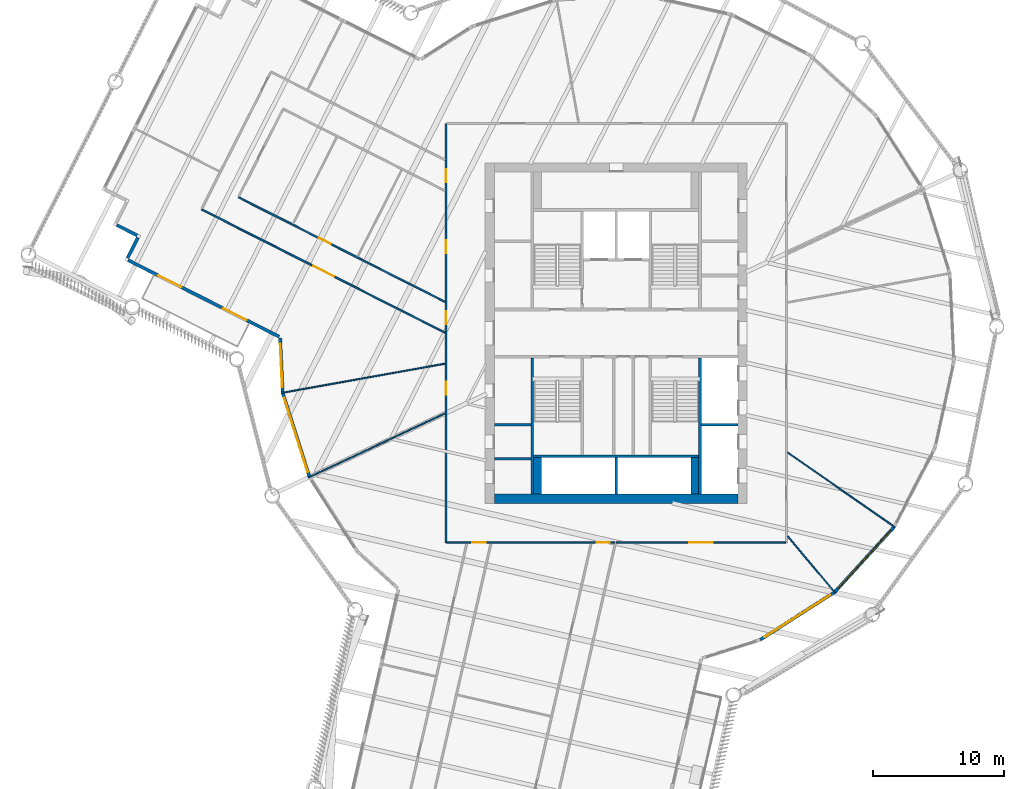
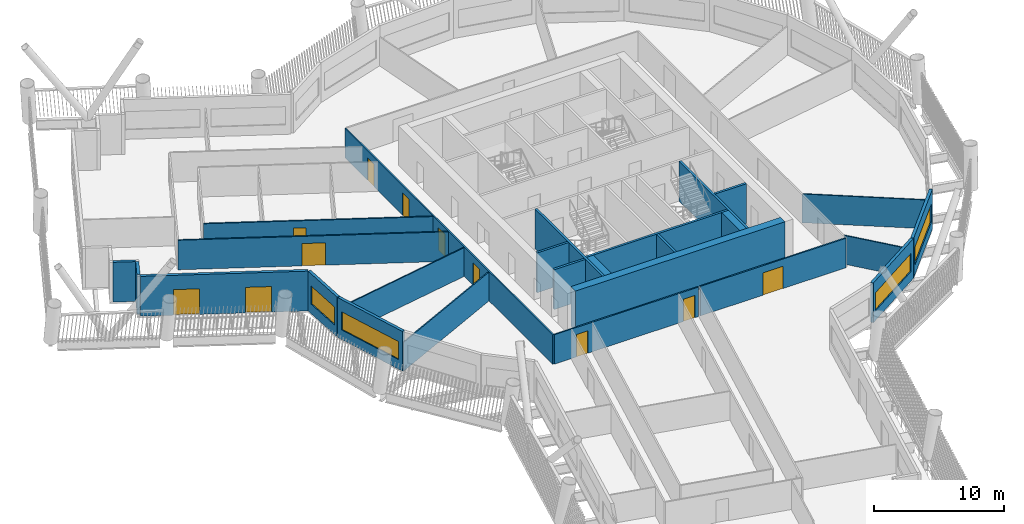
# One storey, part 4 of 21: 26 walls, 11 doors, 4 windows, 15 openings.
"""IFC4 building model written with IfcOpenShell, lengths in metres."""

from ifc_helpers import new_model, si_unit, direction, frame, frame_2d, origin, place, context, subcontext, project, spatial, rectangle, extrude, material, layer, layer_set, type_object, element, fill, save


model = new_model("IFC4")

# Units and contexts
model_context = context("Model", 3, precision=1e-05, world=origin(), true_north=direction((0.0, 1.0)))
body_context = subcontext(model_context, "Body", "Model", "MODEL_VIEW")
ifc_project = project(units=[si_unit("LENGTHUNIT", "METRE"), si_unit("AREAUNIT", "SQUARE_METRE"), si_unit("VOLUMEUNIT", "CUBIC_METRE"), si_unit("PLANEANGLEUNIT", "RADIAN"), si_unit("MASSUNIT", "GRAM", prefix="KILO")], contexts=[model_context])

# Site, building, storey
site_placement = place(None, origin())
site = spatial("IfcSite", under=ifc_project, at=site_placement, CompositionType="ELEMENT")
building_placement = place(site_placement, origin())
building = spatial("IfcBuilding", under=site, at=building_placement, Name="Tarsis Ring Headquarters", CompositionType="ELEMENT")
storey_placement = place(building_placement, frame((0.0, 0.0, 171.0)))
storey = spatial("IfcBuildingStorey", under=building, at=storey_placement, Name="L39", CompositionType="ELEMENT", Elevation=171.0)

# Walls
ifc_material_1 = material(Name="Blockwork", Category="masonry")
ifc_layer_1 = layer(ifc_material_1, 0.199951171875)
ifc_layer_set_1 = layer_set([ifc_layer_1], Name="Core blockwork wall 200")
wall_type_1 = type_object("IfcWallType", Name="Core blockwork wall 200", PredefinedType="PARTITIONING", material=ifc_layer_set_1)
for number, where, z_axis, x_axis, name in (
    (1, (-9.300048828125, -9.60009765625, 0.0), (0.0, 0.0, 1.0), (1.0, 0.0, 0.0), "Core partition WD1"),
    (2, (-9.300048828125, -7.0, 0.0), (0.0, 0.0, 1.0), (1.0, 0.0, 0.0), "Core partition WD2"),
):
    element("IfcWall", number, at=place(storey_placement, frame(where, z_axis=z_axis, x_axis=x_axis)), inside=storey, type_object=wall_type_1, Name=name, PredefinedType="PARTITIONING", context=body_context, shape_type="SweptSolid", body=[
        extrude(rectangle(XDim=2.800048828125, YDim=0.199951171875, at=frame_2d((1.39990234375, 0.0))), origin(), (0.0, 0.0, 1.0), 3.739990234375),
    ])
ifc_material_2 = material(Name="Concrete C60/75", Category="concrete")
ifc_layer_2 = layer(ifc_material_2, 0.699951171875)
ifc_layer_set_2 = layer_set([ifc_layer_2], Name="Core wall 700 C60/75")
wall_type_2 = type_object("IfcWallType", Name="Core wall 700 C60/75", PredefinedType="SHEAR", material=ifc_layer_set_2)
wall_1_placement = place(storey_placement, frame((-9.300048828125, -12.64990234375, 0.0), z_axis=(0.0, 0.0, 1.0), x_axis=(1.0, 0.0, 0.0)))
element("IfcWall", 3, at=wall_1_placement, inside=storey, type_object=wall_type_2, Name="Core wall OS", PredefinedType="SHEAR", context=body_context, shape_type="SweptSolid", body=[
    extrude(rectangle(XDim=18.60009765625, YDim=0.699951171875, at=frame_2d((9.300048828125, 0.0))), origin(), (0.0, 0.0, 1.0), 3.739990234375),
])
ifc_material_3 = material(Name="Gypsum board on steel studs", Category="steel")
ifc_layer_3 = layer(ifc_material_3, 0.10009765625)
ifc_layer_set_3 = layer_set([ifc_layer_3], Name="FL partition 100 unrated")
wall_type_3 = type_object("IfcWallType", Name="FL partition 100 unrated", PredefinedType="PARTITIONING", material=ifc_layer_set_3)
wall_2_placement = place(storey_placement, frame((-25.54248046875, -4.568115234375, 0.0), z_axis=(0.0, 0.0, 1.0), x_axis=(0.984382770142, 0.176041364025, 0.0)))
element("IfcWall", 4, at=wall_2_placement, inside=storey, type_object=wall_type_3, Name="Partition PW3", PredefinedType="PARTITIONING", context=body_context, shape_type="SweptSolid", body=[
    extrude(rectangle(XDim=12.671630859375, YDim=0.10009765625, at=frame_2d((6.3359375, 0.0))), origin(), (0.0, 0.0, 1.0), 2.699951171875),
])
wall_3_placement = place(storey_placement, frame((-23.489990234375, -11.0234375, 0.0), z_axis=(0.0, 0.0, 1.0), x_axis=(0.905275910624, 0.424824111421, 0.0)))
element("IfcWall", 5, at=wall_3_placement, inside=storey, type_object=wall_type_3, Name="Partition PW3", PredefinedType="PARTITIONING", context=body_context, shape_type="SweptSolid", body=[
    extrude(rectangle(XDim=11.507568359375, YDim=0.10009765625, at=frame_2d((5.75390625, 0.0))), origin(), (0.0, 0.0, 1.0), 2.699951171875),
])
wall_4_placement = place(storey_placement, frame((13.08203125, -9.112548828125, 0.0), z_axis=(0.0, 0.0, 1.0), x_axis=(0.820550418038, -0.571574152195, 0.0)))
element("IfcWall", 6, at=wall_4_placement, inside=storey, type_object=wall_type_3, Name="Partition PW3", PredefinedType="PARTITIONING", context=body_context, shape_type="SweptSolid", body=[
    extrude(rectangle(XDim=10.0048828125, YDim=0.10009765625, at=frame_2d((5.00244140625, 0.0))), origin(), (0.0, 0.0, 1.0), 2.699951171875),
])
wall_5_placement = place(storey_placement, frame((13.09033203125, -15.523193359375, 0.0), z_axis=(0.0, 0.0, 1.0), x_axis=(0.644655273068, -0.764473399737, 0.0)))
element("IfcWall", 7, at=wall_5_placement, inside=storey, type_object=wall_type_3, Name="Partition PW3", PredefinedType="PARTITIONING", context=body_context, shape_type="SweptSolid", body=[
    extrude(rectangle(XDim=5.64208984375, YDim=0.10009765625, at=frame_2d((2.821044921875, 0.0))), origin(), (0.0, 0.0, 1.0), 2.699951171875),
])

# Wall, openings, doors
ifc_layer_4 = layer(ifc_material_3, 0.125)
ifc_layer_set_4 = layer_set([ifc_layer_4], Name="FL partition 125 EI 60 H2770")
wall_type_4 = type_object("IfcWallType", Name="FL partition 125 EI 60 H2770", PredefinedType="PARTITIONING", material=ifc_layer_set_4)
wall_6_placement = place(storey_placement, frame((-13.0, -16.0, 0.0), z_axis=(0.0, 0.0, 1.0), x_axis=(0.0, 1.0, 0.0)))
wall_6 = element("IfcWall", 8, at=wall_6_placement, inside=storey, type_object=wall_type_4, Name="Partition PW1", PredefinedType="PARTITIONING", context=body_context, shape_type="SweptSolid", body=[
    extrude(rectangle(XDim=31.998046875, YDim=0.125, at=frame_2d((15.9990234375, 0.0))), origin(), (0.0, 0.0, 1.0), 2.77001953125),
])
opening_1_placement = place(wall_6_placement, frame((11.287109375, 0.0, 0.0)))
opening_1 = element("IfcOpeningElement", 9, at=opening_1_placement, cuts=wall_6, Name="Opening D39.14", PredefinedType="OPENING", context=body_context, shape_type="SweptSolid", body=[
    extrude(rectangle(XDim=1.0, YDim=2.10009765625, at=frame_2d((0.5, 1.050048828125))), frame((0.0, 0.072509765625, 0.0), z_axis=(0.0, -1.0, 0.0), x_axis=(1.0, 0.0, 0.0)), (0.0, 0.0, 1.0), 0.14501953125),
])
opening_2_placement = place(wall_6_placement, frame((22.083984375, 0.0, 0.0)))
opening_2 = element("IfcOpeningElement", 10, at=opening_2_placement, cuts=wall_6, Name="Opening D39.15", PredefinedType="OPENING", context=body_context, shape_type="SweptSolid", body=[
    extrude(rectangle(XDim=1.0, YDim=2.10009765625, at=frame_2d((0.5, 1.050048828125))), frame((0.0, 0.072509765625, 0.0), z_axis=(0.0, -1.0, 0.0), x_axis=(1.0, 0.0, 0.0)), (0.0, 0.0, 1.0), 0.14501953125),
])
opening_3_placement = place(wall_6_placement, frame((16.669921875, 0.0, 0.0)))
opening_3 = element("IfcOpeningElement", 11, at=opening_3_placement, cuts=wall_6, Name="Opening D39.22", PredefinedType="OPENING", context=body_context, shape_type="SweptSolid", body=[
    extrude(rectangle(XDim=1.0, YDim=2.10009765625, at=frame_2d((0.5, 1.050048828125))), frame((0.0, 0.072509765625, 0.0), z_axis=(0.0, -1.0, 0.0), x_axis=(1.0, 0.0, 0.0)), (0.0, 0.0, 1.0), 0.14501953125),
])
opening_4_placement = place(wall_6_placement, frame((27.498046875, 0.0, 0.0)))
opening_4 = element("IfcOpeningElement", 12, at=opening_4_placement, cuts=wall_6, Name="Opening D39.23", PredefinedType="OPENING", context=body_context, shape_type="SweptSolid", body=[
    extrude(rectangle(XDim=1.0, YDim=2.10009765625, at=frame_2d((0.5, 1.050048828125))), frame((0.0, 0.072509765625, 0.0), z_axis=(0.0, -1.0, 0.0), x_axis=(1.0, 0.0, 0.0)), (0.0, 0.0, 1.0), 0.14501953125),
])
ifc_material_4 = material(Name="Fire-rated timber door leaf in steel frame", Category="steel")
door_type_1 = type_object("IfcDoorType", Name="FL door FD60-1000", OperationType="NOTDEFINED", PredefinedType="DOOR", material=ifc_material_4)
door_1_placement = place(opening_1_placement, origin())
door_1 = element("IfcDoor", 13, at=door_1_placement, inside=storey, type_object=door_type_1, Name="Door D39.14", OperationType="SINGLE_SWING_LEFT", OverallHeight=2.10009765625, OverallWidth=1.0, PredefinedType="DOOR", context=body_context, shape_type="SweptSolid", body=[
    extrude(rectangle(XDim=1.0, YDim=2.10009765625, at=frame_2d((0.5, 1.050048828125))), frame((0.0, 0.02490234375, 0.0), z_axis=(0.0, -1.0, 0.0), x_axis=(1.0, 0.0, 0.0)), (0.0, 0.0, 1.0), 0.050048828125),
])
fill(opening_1, door_1)
door_2_placement = place(opening_2_placement, origin())
door_2 = element("IfcDoor", 14, at=door_2_placement, inside=storey, type_object=door_type_1, Name="Door D39.15", OperationType="SINGLE_SWING_RIGHT", OverallHeight=2.10009765625, OverallWidth=1.0, PredefinedType="DOOR", context=body_context, shape_type="SweptSolid", body=[
    extrude(rectangle(XDim=1.0, YDim=2.10009765625, at=frame_2d((0.5, 1.050048828125))), frame((0.0, 0.02490234375, 0.0), z_axis=(0.0, -1.0, 0.0), x_axis=(1.0, 0.0, 0.0)), (0.0, 0.0, 1.0), 0.050048828125),
])
fill(opening_2, door_2)
door_3_placement = place(opening_3_placement, origin())
door_3 = element("IfcDoor", 15, at=door_3_placement, inside=storey, type_object=door_type_1, Name="Door D39.22", OperationType="SINGLE_SWING_LEFT", OverallHeight=2.10009765625, OverallWidth=1.0, PredefinedType="DOOR", context=body_context, shape_type="SweptSolid", body=[
    extrude(rectangle(XDim=1.0, YDim=2.10009765625, at=frame_2d((0.5, 1.050048828125))), frame((0.0, 0.02490234375, 0.0), z_axis=(0.0, -1.0, 0.0), x_axis=(1.0, 0.0, 0.0)), (0.0, 0.0, 1.0), 0.050048828125),
])
fill(opening_3, door_3)
door_4_placement = place(opening_4_placement, origin())
door_4 = element("IfcDoor", 16, at=door_4_placement, inside=storey, type_object=door_type_1, Name="Door D39.23", OperationType="SINGLE_SWING_RIGHT", OverallHeight=2.10009765625, OverallWidth=1.0, PredefinedType="DOOR", context=body_context, shape_type="SweptSolid", body=[
    extrude(rectangle(XDim=1.0, YDim=2.10009765625, at=frame_2d((0.5, 1.050048828125))), frame((0.0, 0.02490234375, 0.0), z_axis=(0.0, -1.0, 0.0), x_axis=(1.0, 0.0, 0.0)), (0.0, 0.0, 1.0), 0.050048828125),
])
fill(opening_4, door_4)

wall_7_placement = place(storey_placement, frame((-12.93994140625, -16.0, 0.0), z_axis=(0.0, 0.0, 1.0), x_axis=(1.0, 0.0, 0.0)))
wall_7 = element("IfcWall", 17, at=wall_7_placement, inside=storey, type_object=wall_type_4, Name="Partition PW1", PredefinedType="PARTITIONING", context=body_context, shape_type="SweptSolid", body=[
    extrude(rectangle(XDim=12.80908203125, YDim=0.125, at=frame_2d((6.404541015625, 0.0))), origin(), (0.0, 0.0, 1.0), 2.77001953125),
])
opening_5_placement = place(wall_7_placement, frame((1.96630859375, 0.0, 0.0)))
opening_5 = element("IfcOpeningElement", 18, at=opening_5_placement, cuts=wall_7, Name="Opening D39.20", PredefinedType="OPENING", context=body_context, shape_type="SweptSolid", body=[
    extrude(rectangle(XDim=1.0, YDim=2.10009765625, at=frame_2d((0.5, 1.050048828125))), frame((0.0, 0.072509765625, 0.0), z_axis=(0.0, -1.0, 0.0), x_axis=(1.0, 0.0, 0.0)), (0.0, 0.0, 1.0), 0.14501953125),
])
opening_6_placement = place(wall_7_placement, frame((11.46435546875, 0.0, 0.0)))
opening_6 = element("IfcOpeningElement", 19, at=opening_6_placement, cuts=wall_7, Name="Opening D39.21", PredefinedType="OPENING", context=body_context, shape_type="SweptSolid", body=[
    extrude(rectangle(XDim=1.0, YDim=2.10009765625, at=frame_2d((0.5, 1.050048828125))), frame((0.0, 0.072509765625, 0.0), z_axis=(0.0, -1.0, 0.0), x_axis=(1.0, 0.0, 0.0)), (0.0, 0.0, 1.0), 0.14501953125),
])
door_5_placement = place(opening_5_placement, origin())
door_5 = element("IfcDoor", 20, at=door_5_placement, inside=storey, type_object=door_type_1, Name="Door D39.20", OperationType="SINGLE_SWING_LEFT", OverallHeight=2.10009765625, OverallWidth=1.0, PredefinedType="DOOR", context=body_context, shape_type="SweptSolid", body=[
    extrude(rectangle(XDim=1.0, YDim=2.10009765625, at=frame_2d((0.5, 1.050048828125))), frame((0.0, 0.02490234375, 0.0), z_axis=(0.0, -1.0, 0.0), x_axis=(1.0, 0.0, 0.0)), (0.0, 0.0, 1.0), 0.050048828125),
])
fill(opening_5, door_5)
door_6_placement = place(opening_6_placement, origin())
door_6 = element("IfcDoor", 21, at=door_6_placement, inside=storey, type_object=door_type_1, Name="Door D39.21", OperationType="SINGLE_SWING_RIGHT", OverallHeight=2.10009765625, OverallWidth=1.0, PredefinedType="DOOR", context=body_context, shape_type="SweptSolid", body=[
    extrude(rectangle(XDim=1.0, YDim=2.10009765625, at=frame_2d((0.5, 1.050048828125))), frame((0.0, 0.02490234375, 0.0), z_axis=(0.0, -1.0, 0.0), x_axis=(1.0, 0.0, 0.0)), (0.0, 0.0, 1.0), 0.050048828125),
])
fill(opening_6, door_6)

# Wall, opening, door
wall_8_placement = place(storey_placement, frame((0.008544921875, -16.0, 0.0), z_axis=(0.0, 0.0, 1.0), x_axis=(1.0, 0.0, 0.0)))
wall_8 = element("IfcWall", 22, at=wall_8_placement, inside=storey, type_object=wall_type_4, Name="Partition PW1", PredefinedType="PARTITIONING", context=body_context, shape_type="SweptSolid", body=[
    extrude(rectangle(XDim=12.929443359375, YDim=0.125, at=frame_2d((6.46484375, 0.0))), origin(), (0.0, 0.0, 1.0), 2.77001953125),
])
opening_7_placement = place(wall_8_placement, frame((5.564208984375, 0.0, 0.0)))
opening_7 = element("IfcOpeningElement", 23, at=opening_7_placement, cuts=wall_8, Name="Opening D39.09", PredefinedType="OPENING", context=body_context, shape_type="SweptSolid", body=[
    extrude(rectangle(XDim=1.800048828125, YDim=2.10009765625, at=frame_2d((0.89990234375, 1.050048828125))), frame((0.0, 0.072509765625, 0.0), z_axis=(0.0, -1.0, 0.0), x_axis=(1.0, 0.0, 0.0)), (0.0, 0.0, 1.0), 0.14501953125),
])
door_type_2 = type_object("IfcDoorType", Name="FL door FD60-1800", OperationType="DOUBLE_DOOR_SINGLE_SWING", PredefinedType="DOOR", material=ifc_material_4)
door_7_placement = place(opening_7_placement, origin())
door_7 = element("IfcDoor", 24, at=door_7_placement, inside=storey, type_object=door_type_2, Name="Door D39.09", OperationType="DOUBLE_DOOR_SINGLE_SWING", OverallHeight=2.10009765625, OverallWidth=1.800048828125, PredefinedType="DOOR", context=body_context, shape_type="SweptSolid", body=[
    extrude(rectangle(XDim=1.800048828125, YDim=2.10009765625, at=frame_2d((0.89990234375, 1.050048828125))), frame((0.0, 0.02490234375, 0.0), z_axis=(0.0, -1.0, 0.0), x_axis=(1.0, 0.0, 0.0)), (0.0, 0.0, 1.0), 0.050048828125),
])
fill(opening_7, door_7)

wall_9_placement = place(storey_placement, frame((-31.668212890625, 9.447265625, 0.0), z_axis=(0.0, 0.0, 1.0), x_axis=(0.892114056391, -0.451810259278, 0.0)))
wall_9 = element("IfcWall", 25, at=wall_9_placement, inside=storey, type_object=wall_type_4, Name="Partition PW1", PredefinedType="PARTITIONING", context=body_context, shape_type="SweptSolid", body=[
    extrude(rectangle(XDim=20.835693359375, YDim=0.125, at=frame_2d((10.41796875, 0.0))), origin(), (0.0, 0.0, 1.0), 2.77001953125),
])
opening_8_placement = place(wall_9_placement, frame((9.56298828125, 0.0, 0.0)))
opening_8 = element("IfcOpeningElement", 26, at=opening_8_placement, cuts=wall_9, Name="Opening D39.01", PredefinedType="OPENING", context=body_context, shape_type="SweptSolid", body=[
    extrude(rectangle(XDim=1.800048828125, YDim=2.10009765625, at=frame_2d((0.89990234375, 1.050048828125))), frame((0.0, 0.072509765625, 0.0), z_axis=(0.0, -1.0, 0.0), x_axis=(1.0, 0.0, 0.0)), (0.0, 0.0, 1.0), 0.14501953125),
])
door_8_placement = place(opening_8_placement, origin())
door_8 = element("IfcDoor", 27, at=door_8_placement, inside=storey, type_object=door_type_2, Name="Door D39.01", OperationType="DOUBLE_DOOR_SINGLE_SWING", OverallHeight=2.10009765625, OverallWidth=1.800048828125, PredefinedType="DOOR", context=body_context, shape_type="SweptSolid", body=[
    extrude(rectangle(XDim=1.800048828125, YDim=2.10009765625, at=frame_2d((0.89990234375, 1.050048828125))), frame((0.0, 0.02490234375, 0.0), z_axis=(0.0, -1.0, 0.0), x_axis=(1.0, 0.0, 0.0)), (0.0, 0.0, 1.0), 0.050048828125),
])
fill(opening_8, door_8)

wall_10_placement = place(storey_placement, frame((-28.845947265625, 10.371826171875, 0.0), z_axis=(0.0, 0.0, 1.0), x_axis=(0.892116560587, -0.451805314628, 0.0)))
wall_10 = element("IfcWall", 28, at=wall_10_placement, inside=storey, type_object=wall_type_4, Name="Partition PW1", PredefinedType="PARTITIONING", context=body_context, shape_type="SweptSolid", body=[
    extrude(rectangle(XDim=17.672119140625, YDim=0.125, at=frame_2d((8.8359375, 0.0))), origin(), (0.0, 0.0, 1.0), 2.77001953125),
])
opening_9_placement = place(wall_10_placement, frame((6.901611328125, 0.0, 0.0)))
opening_9 = element("IfcOpeningElement", 29, at=opening_9_placement, cuts=wall_10, Name="Opening D39.16", PredefinedType="OPENING", context=body_context, shape_type="SweptSolid", body=[
    extrude(rectangle(XDim=1.0, YDim=2.10009765625, at=frame_2d((0.5, 1.050048828125))), frame((0.0, 0.072509765625, 0.0), z_axis=(0.0, -1.0, 0.0), x_axis=(1.0, 0.0, 0.0)), (0.0, 0.0, 1.0), 0.14501953125),
])
door_9_placement = place(opening_9_placement, origin())
door_9 = element("IfcDoor", 30, at=door_9_placement, inside=storey, type_object=door_type_1, Name="Door D39.16", OperationType="SINGLE_SWING_LEFT", OverallHeight=2.10009765625, OverallWidth=1.0, PredefinedType="DOOR", context=body_context, shape_type="SweptSolid", body=[
    extrude(rectangle(XDim=1.0, YDim=2.10009765625, at=frame_2d((0.5, 1.050048828125))), frame((0.0, 0.02490234375, 0.0), z_axis=(0.0, -1.0, 0.0), x_axis=(1.0, 0.0, 0.0)), (0.0, 0.0, 1.0), 0.050048828125),
])
fill(opening_9, door_9)

# Wall, openings, doors
ifc_material_5 = material(Name="Terracotta clad insulated panel wall", Category="masonry")
ifc_layer_5 = layer(ifc_material_5, 0.25)
ifc_layer_set_5 = layer_set([ifc_layer_5], Name="Facade wall terracotta panel 250")
wall_type_5 = type_object("IfcWallType", Name="Facade wall terracotta panel 250", PredefinedType="STANDARD", material=ifc_layer_set_5)
wall_11_placement = place(storey_placement, frame((-37.25830078125, 5.558349609375, 0.0), z_axis=(0.0, 0.0, 1.0), x_axis=(0.892117926659, -0.451802617227, 0.0)))
wall_11 = element("IfcWall", 31, at=wall_11_placement, inside=storey, type_object=wall_type_5, Name="External wall L39-01", PredefinedType="STANDARD", context=body_context, shape_type="SweptSolid", body=[
    extrude(rectangle(XDim=12.921875, YDim=0.25, at=frame_2d((6.4609375, 0.0))), origin(), (0.0, 0.0, 1.0), 3.739990234375),
])
opening_10_placement = place(wall_11_placement, frame((2.550048828125, 0.0, 0.0)))
opening_10 = element("IfcOpeningElement", 32, at=opening_10_placement, cuts=wall_11, Name="Opening L39-BD01", PredefinedType="OPENING", context=body_context, shape_type="SweptSolid", body=[
    extrude(rectangle(XDim=2.0, YDim=2.39990234375, at=frame_2d((1.0, 1.199951171875))), frame((0.0, 0.135009765625, 0.0), z_axis=(0.0, -1.0, 0.0), x_axis=(1.0, 0.0, 0.0)), (0.0, 0.0, 1.0), 0.27001953125),
])
opening_11_placement = place(wall_11_placement, frame((8.1220703125, 0.0, 0.0)))
opening_11 = element("IfcOpeningElement", 33, at=opening_11_placement, cuts=wall_11, Name="Opening L39-BD02", PredefinedType="OPENING", context=body_context, shape_type="SweptSolid", body=[
    extrude(rectangle(XDim=2.0, YDim=2.39990234375, at=frame_2d((1.0, 1.199951171875))), frame((0.0, 0.135009765625, 0.0), z_axis=(0.0, -1.0, 0.0), x_axis=(1.0, 0.0, 0.0)), (0.0, 0.0, 1.0), 0.27001953125),
])
ifc_material_6 = material(Name="Aluminium framed double glazing", Category="aluminium")
door_type_3 = type_object("IfcDoorType", Name="Balcony sliding door 2000 x 2400", OperationType="SLIDING_TO_LEFT", PredefinedType="DOOR", material=ifc_material_6)
door_10_placement = place(opening_10_placement, origin())
door_10 = element("IfcDoor", 34, at=door_10_placement, inside=storey, type_object=door_type_3, Name="Door L39-BD01", OperationType="SINGLE_SWING_LEFT", OverallHeight=2.39990234375, OverallWidth=2.0, PredefinedType="DOOR", context=body_context, shape_type="SweptSolid", body=[
    extrude(rectangle(XDim=2.0, YDim=2.39990234375, at=frame_2d((1.0, 1.199951171875))), frame((0.0, 0.02490234375, 0.0), z_axis=(0.0, -1.0, 0.0), x_axis=(1.0, 0.0, 0.0)), (0.0, 0.0, 1.0), 0.050048828125),
])
fill(opening_10, door_10)
door_11_placement = place(opening_11_placement, origin())
door_11 = element("IfcDoor", 35, at=door_11_placement, inside=storey, type_object=door_type_3, Name="Door L39-BD02", OperationType="SINGLE_SWING_LEFT", OverallHeight=2.39990234375, OverallWidth=2.0, PredefinedType="DOOR", context=body_context, shape_type="SweptSolid", body=[
    extrude(rectangle(XDim=2.0, YDim=2.39990234375, at=frame_2d((1.0, 1.199951171875))), frame((0.0, 0.02490234375, 0.0), z_axis=(0.0, -1.0, 0.0), x_axis=(1.0, 0.0, 0.0)), (0.0, 0.0, 1.0), 0.050048828125),
])
fill(opening_11, door_11)

# Wall, opening, window
wall_12_placement = place(storey_placement, frame((-25.662109375, -0.3857421875, 0.0), z_axis=(0.0, 0.0, 1.0), x_axis=(0.046097554524, -0.998936942688, 0.0)))
wall_12 = element("IfcWall", 36, at=wall_12_placement, inside=storey, type_object=wall_type_5, Name="External wall L39-02", PredefinedType="STANDARD", context=body_context, shape_type="SweptSolid", body=[
    extrude(rectangle(XDim=4.157470703125, YDim=0.25, at=frame_2d((2.07861328125, 0.0))), origin(), (0.0, 0.0, 1.0), 3.739990234375),
])
opening_12_placement = place(wall_12_placement, frame((0.420166015625, 0.0, 0.89990234375)))
opening_12 = element("IfcOpeningElement", 37, at=opening_12_placement, cuts=wall_12, Name="Opening WN01", PredefinedType="OPENING", context=body_context, shape_type="SweptSolid", body=[
    extrude(rectangle(XDim=3.35009765625, YDim=1.699951171875, at=frame_2d((1.675048828125, 0.85009765625))), frame((0.0, 0.135009765625, 0.0), z_axis=(0.0, -1.0, 0.0), x_axis=(1.0, 0.0, 0.0)), (0.0, 0.0, 1.0), 0.27001953125),
])
window_type_1 = type_object("IfcWindowType", Name="Facade window 3350 x 1700", PartitioningType="SINGLE_PANEL", PredefinedType="WINDOW", material=ifc_material_6)
window_1_placement = place(opening_12_placement, origin())
window_1 = element("IfcWindow", 38, at=window_1_placement, inside=storey, type_object=window_type_1, Name="Window L39-02.1", OverallHeight=1.699951171875, OverallWidth=3.35009765625, PartitioningType="SINGLE_PANEL", PredefinedType="WINDOW", context=body_context, shape_type="SweptSolid", body=[
    extrude(rectangle(XDim=3.35009765625, YDim=1.699951171875, at=frame_2d((1.675048828125, 0.85009765625))), frame((0.0, 0.030029296875, 0.0), z_axis=(0.0, -1.0, 0.0), x_axis=(1.0, 0.0, 0.0)), (0.0, 0.0, 1.0), 0.06005859375),
])
fill(opening_12, window_1)

wall_13_placement = place(storey_placement, frame((-25.46484375, -4.57080078125, 0.0), z_axis=(0.0, 0.0, 1.0), x_axis=(0.303034240795, -0.952979668674, 0.0)))
wall_13 = element("IfcWall", 39, at=wall_13_placement, inside=storey, type_object=wall_type_5, Name="External wall L39-03", PredefinedType="STANDARD", context=body_context, shape_type="SweptSolid", body=[
    extrude(rectangle(XDim=6.7216796875, YDim=0.25, at=frame_2d((3.36083984375, 0.0))), origin(), (0.0, 0.0, 1.0), 3.739990234375),
])
opening_13_placement = place(wall_13_placement, frame((0.3857421875, 0.0, 0.89990234375)))
opening_13 = element("IfcOpeningElement", 40, at=opening_13_placement, cuts=wall_13, Name="Opening WN07", PredefinedType="OPENING", context=body_context, shape_type="SweptSolid", body=[
    extrude(rectangle(XDim=5.949951171875, YDim=1.699951171875, at=frame_2d((2.97509765625, 0.85009765625))), frame((0.0, 0.135009765625, 0.0), z_axis=(0.0, -1.0, 0.0), x_axis=(1.0, 0.0, 0.0)), (0.0, 0.0, 1.0), 0.27001953125),
])
window_type_2 = type_object("IfcWindowType", Name="Facade window 5950 x 1700", PartitioningType="SINGLE_PANEL", PredefinedType="WINDOW", material=ifc_material_6)
window_2_placement = place(opening_13_placement, origin())
window_2 = element("IfcWindow", 41, at=window_2_placement, inside=storey, type_object=window_type_2, Name="Window L39-03.1", OverallHeight=1.699951171875, OverallWidth=5.949951171875, PartitioningType="SINGLE_PANEL", PredefinedType="WINDOW", context=body_context, shape_type="SweptSolid", body=[
    extrude(rectangle(XDim=5.949951171875, YDim=1.699951171875, at=frame_2d((2.97509765625, 0.85009765625))), frame((0.0, 0.030029296875, 0.0), z_axis=(0.0, -1.0, 0.0), x_axis=(1.0, 0.0, 0.0)), (0.0, 0.0, 1.0), 0.06005859375),
])
fill(opening_13, window_2)

wall_14_placement = place(storey_placement, frame((11.005859375, -23.4140625, 0.0), z_axis=(0.0, 0.0, 1.0), x_axis=(0.842085989821, 0.539343291186, 0.0)))
wall_14 = element("IfcWall", 42, at=wall_14_placement, inside=storey, type_object=wall_type_5, Name="External wall L39-18", PredefinedType="STANDARD", context=body_context, shape_type="SweptSolid", body=[
    extrude(rectangle(XDim=6.7216796875, YDim=0.25, at=frame_2d((3.36083984375, 0.0))), origin(), (0.0, 0.0, 1.0), 3.739990234375),
])
opening_14_placement = place(wall_14_placement, frame((0.3857421875, 0.0, 0.89990234375)))
opening_14 = element("IfcOpeningElement", 43, at=opening_14_placement, cuts=wall_14, Name="Opening WN07", PredefinedType="OPENING", context=body_context, shape_type="SweptSolid", body=[
    extrude(rectangle(XDim=5.949951171875, YDim=1.699951171875, at=frame_2d((2.97509765625, 0.85009765625))), frame((0.0, 0.135009765625, 0.0), z_axis=(0.0, -1.0, 0.0), x_axis=(1.0, 0.0, 0.0)), (0.0, 0.0, 1.0), 0.27001953125),
])
window_3_placement = place(opening_14_placement, origin())
window_3 = element("IfcWindow", 44, at=window_3_placement, inside=storey, type_object=window_type_2, Name="Window L39-18.1", OverallHeight=1.699951171875, OverallWidth=5.949951171875, PartitioningType="SINGLE_PANEL", PredefinedType="WINDOW", context=body_context, shape_type="SweptSolid", body=[
    extrude(rectangle(XDim=5.949951171875, YDim=1.699951171875, at=frame_2d((2.97509765625, 0.85009765625))), frame((0.0, 0.030029296875, 0.0), z_axis=(0.0, -1.0, 0.0), x_axis=(1.0, 0.0, 0.0)), (0.0, 0.0, 1.0), 0.06005859375),
])
fill(opening_14, window_3)

wall_15_placement = place(storey_placement, frame((16.69091796875, -19.767822265625, 0.0), z_axis=(0.0, 0.0, 1.0), x_axis=(0.673774858001, 0.73893669602, 0.0)))
wall_15 = element("IfcWall", 45, at=wall_15_placement, inside=storey, type_object=wall_type_5, Name="External wall L39-19", PredefinedType="STANDARD", context=body_context, shape_type="SweptSolid", body=[
    extrude(rectangle(XDim=6.721435546875, YDim=0.25, at=frame_2d((3.36083984375, 0.0))), origin(), (0.0, 0.0, 1.0), 3.739990234375),
])
opening_15_placement = place(wall_15_placement, frame((0.3857421875, 0.0, 0.89990234375)))
opening_15 = element("IfcOpeningElement", 46, at=opening_15_placement, cuts=wall_15, Name="Opening WN07", PredefinedType="OPENING", context=body_context, shape_type="SweptSolid", body=[
    extrude(rectangle(XDim=5.949951171875, YDim=1.699951171875, at=frame_2d((2.97509765625, 0.85009765625))), frame((0.0, 0.135009765625, 0.0), z_axis=(0.0, -1.0, 0.0), x_axis=(1.0, 0.0, 0.0)), (0.0, 0.0, 1.0), 0.27001953125),
])
window_4_placement = place(opening_15_placement, origin())
window_4 = element("IfcWindow", 47, at=window_4_placement, inside=storey, type_object=window_type_2, Name="Window L39-19.1", OverallHeight=1.699951171875, OverallWidth=5.949951171875, PartitioningType="SINGLE_PANEL", PredefinedType="WINDOW", context=body_context, shape_type="SweptSolid", body=[
    extrude(rectangle(XDim=5.949951171875, YDim=1.699951171875, at=frame_2d((2.97509765625, 0.85009765625))), frame((0.0, 0.030029296875, 0.0), z_axis=(0.0, -1.0, 0.0), x_axis=(1.0, 0.0, 0.0)), (0.0, 0.0, 1.0), 0.06005859375),
])
fill(opening_15, window_4)

# Walls
for number, where, z_axis, x_axis, name in (
    (48, (-38.138916015625, 8.246337890625, 0.0), (0.0, 0.0, 1.0), (0.892099507927, -0.451838984547, 0.0), "External wall L39-39"),
    (49, (-36.522705078125, 7.28759765625, 0.0), (0.0, 0.0, 1.0), (-0.451727954529, -0.892155734778, 0.0), "External wall L39-40"),
):
    element("IfcWall", number, at=place(storey_placement, frame(where, z_axis=z_axis, x_axis=x_axis)), inside=storey, type_object=wall_type_5, Name=name, PredefinedType="STANDARD", context=body_context, shape_type="SweptSolid", body=[
        extrude(rectangle(XDim=1.75, YDim=0.25, at=frame_2d((0.875, 0.0))), origin(), (0.0, 0.0, 1.0), 3.739990234375),
    ])
ifc_material_7 = material(Name="Concrete C32/40", Category="concrete")
ifc_layer_6 = layer(ifc_material_7, 0.60009765625)
ifc_layer_set_6 = layer_set([ifc_layer_6], Name="Shaft end wall 600 C32/40")
wall_type_6 = type_object("IfcWallType", Name="Shaft end wall 600 C32/40", PredefinedType="SOLIDWALL", material=ifc_layer_set_6)
for number, where, z_axis, x_axis, name in (
    (50, (-6.0, -12.300048828125, 0.0), (0.0, 0.0, 1.0), (0.0, 1.0, 0.0), "Core shaft wall SNE1"),
    (51, (6.0, -12.300048828125, 0.0), (0.0, 0.0, 1.0), (0.0, 1.0, 0.0), "Core shaft wall SNE2"),
):
    element("IfcWall", number, at=place(storey_placement, frame(where, z_axis=z_axis, x_axis=x_axis)), inside=storey, type_object=wall_type_6, Name=name, PredefinedType="SOLIDWALL", context=body_context, shape_type="SweptSolid", body=[
        extrude(rectangle(XDim=2.800048828125, YDim=0.60009765625, at=frame_2d((1.39990234375, 0.0))), origin(), (0.0, 0.0, 1.0), 3.739990234375),
    ])
ifc_layer_7 = layer(ifc_material_7, 0.199951171875)
ifc_layer_set_7 = layer_set([ifc_layer_7], Name="Shaft wall 200 C32/40")
wall_type_7 = type_object("IfcWallType", Name="Shaft wall 200 C32/40", PredefinedType="SOLIDWALL", material=ifc_layer_set_7)
for number, where, z_axis, x_axis, name in (
    (52, (-6.39990234375, -12.300048828125, 0.0), (0.0, 0.0, 1.0), (0.0, 1.0, 0.0), "Core shaft wall WB1"),
    (53, (6.39990234375, -12.300048828125, 0.0), (0.0, 0.0, 1.0), (0.0, 1.0, 0.0), "Core shaft wall EB1"),
):
    element("IfcWall", number, at=place(storey_placement, frame(where, z_axis=z_axis, x_axis=x_axis)), inside=storey, type_object=wall_type_7, Name=name, PredefinedType="SOLIDWALL", context=body_context, shape_type="SweptSolid", body=[
        extrude(rectangle(XDim=10.400146484375, YDim=0.199951171875, at=frame_2d((5.2001953125, 0.0))), origin(), (0.0, 0.0, 1.0), 3.739990234375),
    ])
wall_16_placement = place(storey_placement, frame((-6.300048828125, -9.39990234375, 0.0), z_axis=(0.0, 0.0, 1.0), x_axis=(1.0, 0.0, 0.0)))
element("IfcWall", 54, at=wall_16_placement, inside=storey, type_object=wall_type_7, Name="Core shaft wall SB", PredefinedType="SOLIDWALL", context=body_context, shape_type="SweptSolid", body=[
    extrude(rectangle(XDim=12.60009765625, YDim=0.199951171875, at=frame_2d((6.300048828125, 0.0))), origin(), (0.0, 0.0, 1.0), 3.739990234375),
])
for number, where, z_axis, x_axis, name in (
    (55, (6.5, -7.0, 0.0), (0.0, 0.0, 1.0), (1.0, 0.0, 0.0), "Core shaft wall ED2"),
    (56, (0.0, -12.300048828125, 0.0), (0.0, 0.0, 1.0), (0.0, 1.0, 0.0), "Core shaft wall SD2"),
):
    element("IfcWall", number, at=place(storey_placement, frame(where, z_axis=z_axis, x_axis=x_axis)), inside=storey, type_object=wall_type_7, Name=name, PredefinedType="SOLIDWALL", context=body_context, shape_type="SweptSolid", body=[
        extrude(rectangle(XDim=2.800048828125, YDim=0.199951171875, at=frame_2d((1.39990234375, 0.0))), origin(), (0.0, 0.0, 1.0), 3.739990234375),
    ])

save(model, "model.ifc")
